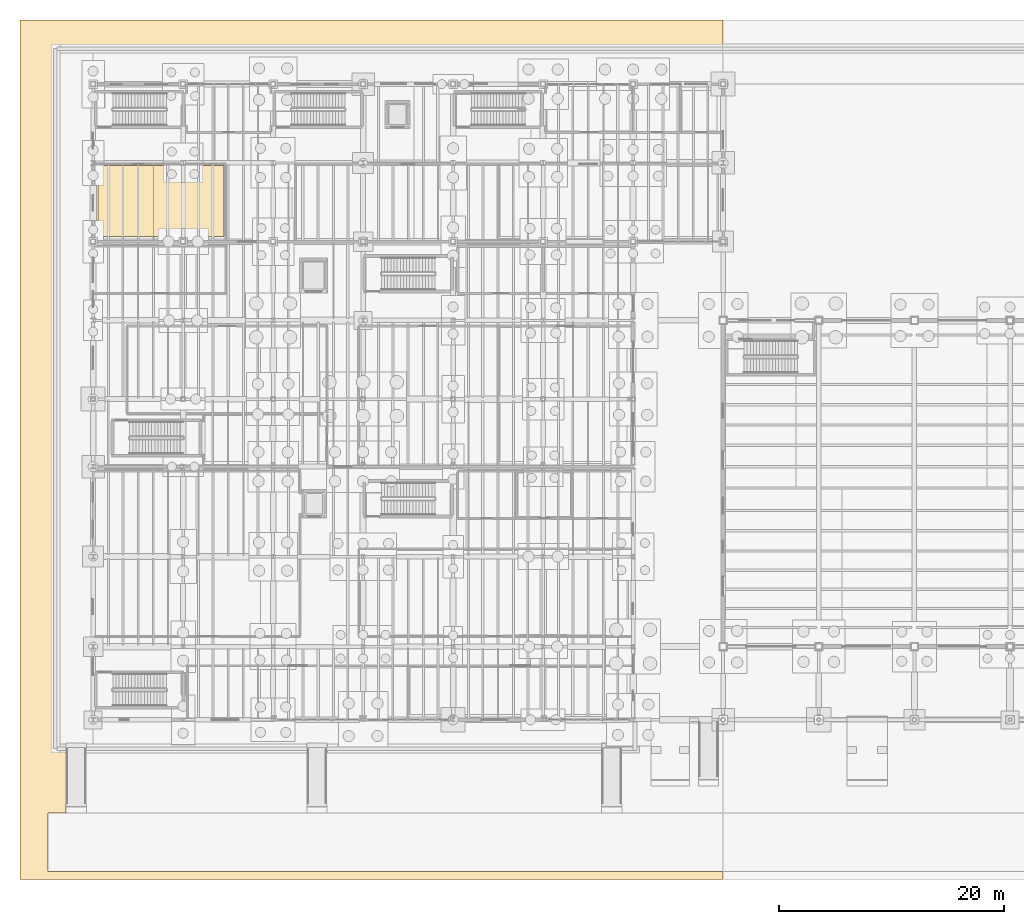
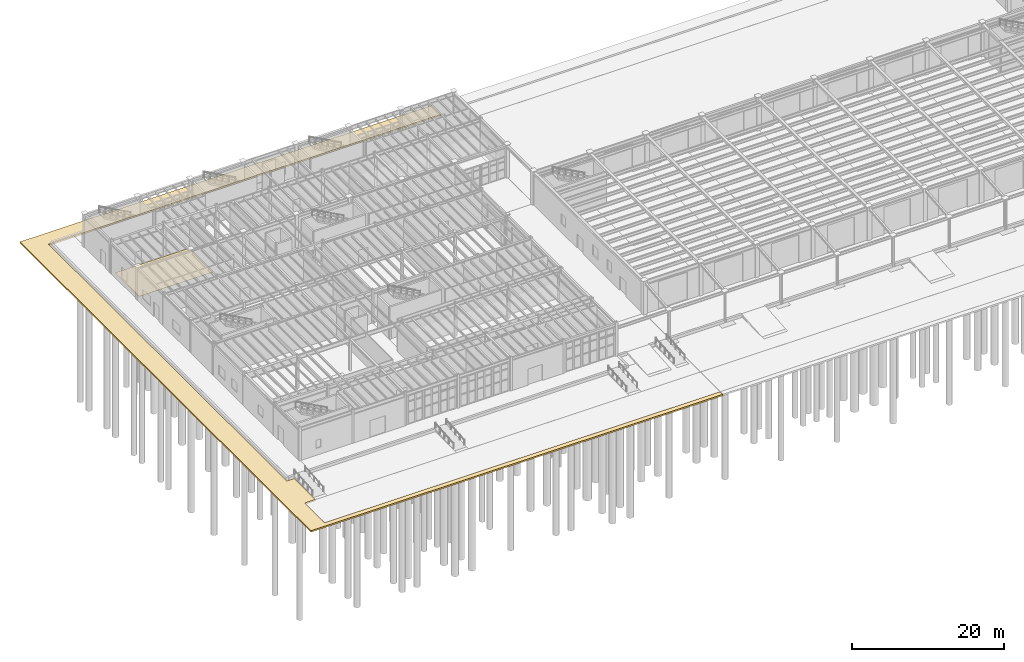
# One storey, part 77 of 86: 2 coverings.
"""IFC4 building model written with IfcOpenShell, lengths in metres."""

from ifc_helpers import new_model, si_unit, direction, frame, origin, place, context, subcontext, project, spatial, polyline, outline, extrude, material, layer, layer_set, type_object, element, save


model = new_model("IFC4")

# Units and contexts
model_context = context("Model", 3, precision=1e-05, world=origin(), true_north=direction((0.0, 1.0)))
body_context = subcontext(model_context, "Body", "Model", "MODEL_VIEW")
ifc_project = project(units=[si_unit("LENGTHUNIT", "METRE"), si_unit("AREAUNIT", "SQUARE_METRE"), si_unit("VOLUMEUNIT", "CUBIC_METRE"), si_unit("PLANEANGLEUNIT", "RADIAN"), si_unit("MASSUNIT", "GRAM", prefix="KILO"), si_unit("THERMODYNAMICTEMPERATUREUNIT", "KELVIN"), si_unit("POWERUNIT", "WATT")], contexts=[model_context])

# Site, building, storey
site_placement = place(None, origin())
site = spatial("IfcSite", under=ifc_project, at=site_placement, CompositionType="ELEMENT")
building_placement = place(site_placement, origin())
building = spatial("IfcBuilding", under=site, at=building_placement, Name="Zhenchuan Central Fire Station", CompositionType="ELEMENT")
storey_placement = place(building_placement, frame((0.0, 0.0, 0.449951171875)))
storey = spatial("IfcBuildingStorey", under=building, at=storey_placement, Name="L01", CompositionType="ELEMENT", Elevation=0.449951171875)

# Coverings
ifc_material_1 = material(Name="Heavy-duty slip-resistant ceramic tile flooring")
ifc_layer_1 = layer(ifc_material_1, 0.014892578125, Name="Heavy-duty slip-resistant ceramic tile flooring")
ifc_layer_set_1 = layer_set([ifc_layer_1], Name="Heavy-duty slip-resistant ceramic tile flooring")
covering_type_1 = type_object("IfcCoveringType", Name="COV-FLR-RES", PredefinedType="FLOORING", material=ifc_layer_set_1)
covering_1_placement = place(storey_placement, origin())
element("IfcCovering", 1, at=covering_1_placement, inside=storey, type_object=covering_type_1, Name="Crew Mess and Dining Hall Ceramic Tile Flooring", PredefinedType="FLOORING", context=body_context, shape_type="SweptSolid", body=[
    extrude(outline(polyline([(0.449951171875, 42.949951171875), (11.64990234375, 42.949951171875), (11.64990234375, 49.25), (0.449951171875, 49.25), (0.449951171875, 42.949951171875)])), origin(), (0.0, 0.0, 1.0), 0.01513671875),
])
ifc_material_2 = material(Name="Granite stone boulevard paving", Category="masonry")
ifc_layer_2 = layer(ifc_material_2, 0.239990234375, Name="Granite stone boulevard paving", Category="masonry")
ifc_layer_set_2 = layer_set([ifc_layer_2], Name="Granite stone boulevard paving")
covering_type_2 = type_object("IfcCoveringType", Name="COV-SITE-PAV", PredefinedType="FLOORING", material=ifc_layer_set_2)
covering_2_placement = place(storey_placement, frame((0.0, 0.0, -0.68994140625)))
element("IfcCovering", 2, at=covering_2_placement, inside=storey, type_object=covering_type_2, Name="Zhenchuan Boulevard Grade Paving Zone W-01", PredefinedType="FLOORING", context=body_context, shape_type="SweptSolid", body=[
    extrude(outline(polyline([(55.97509765625, -14.199951171875), (-6.5, -14.199951171875), (-6.5, 62.199951171875), (55.97509765625, 62.199951171875), (55.97509765625, 59.830078125), (48.330078125, 59.830078125), (48.0, 59.830078125), (-3.530029296875, 59.830078125), (-3.530029296875, -2.72998046875), (-2.406005859375, -2.72998046875), (-2.406005859375, -8.2958984375), (-4.00390625, -8.2958984375), (-4.00390625, -13.50390625), (55.97509765625, -13.50390625), (55.97509765625, -14.199951171875)])), origin(), (0.0, 0.0, 1.0), 0.239990234375),
])

save(model, "model.ifc")
